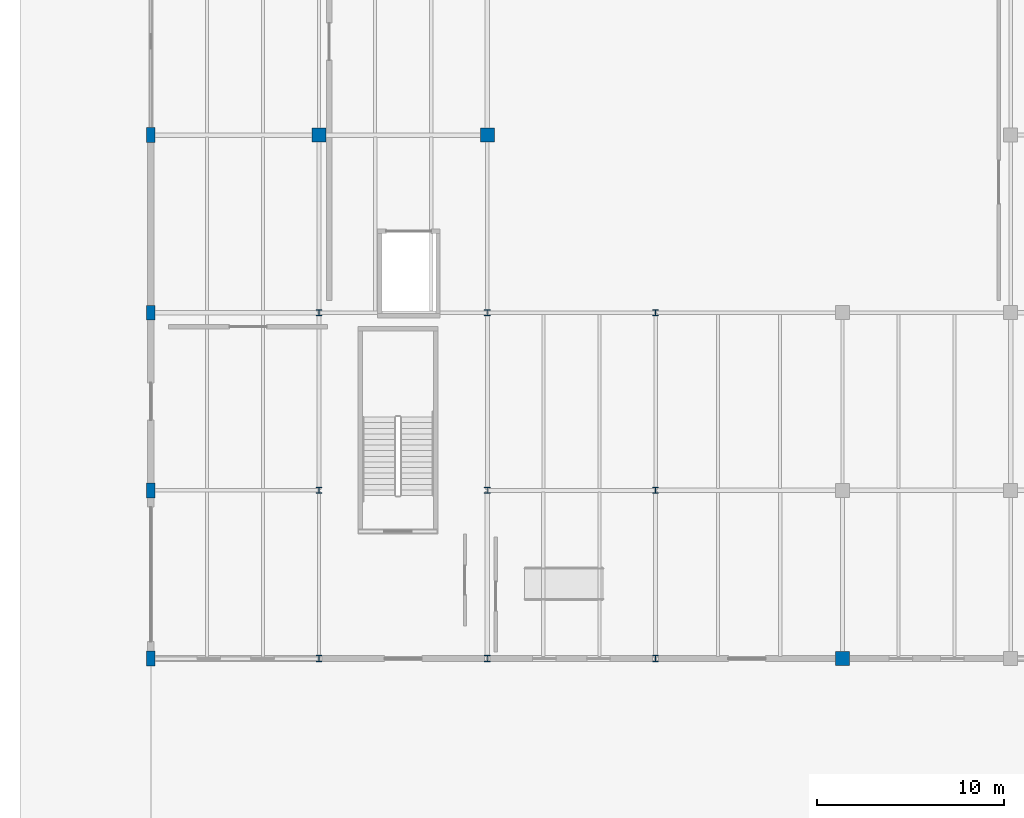
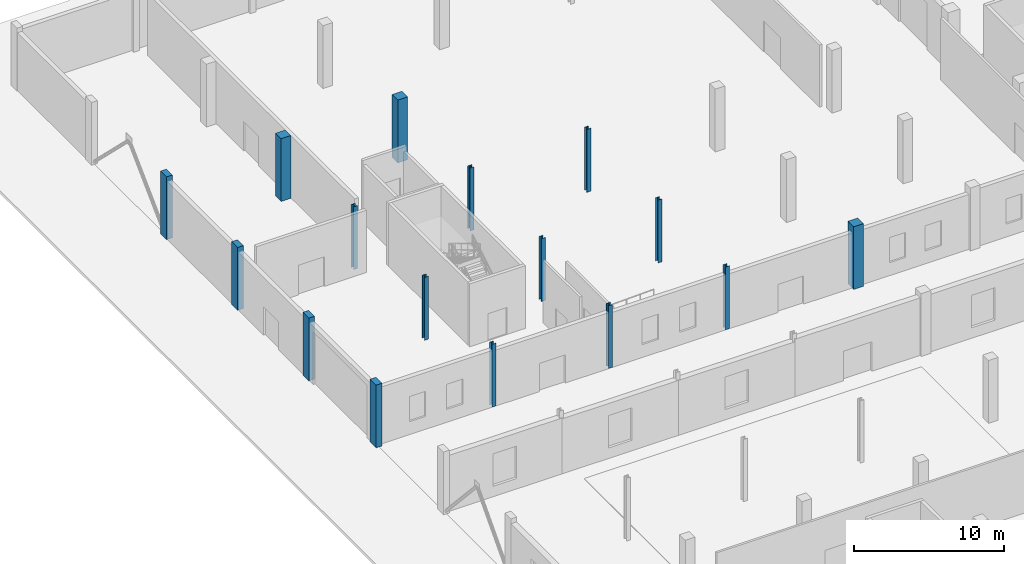
# One storey, part 18 of 103: 16 columns.
"""IFC4 building model written with IfcOpenShell, lengths in metres."""

from ifc_helpers import new_model, si_unit, direction, frame, origin, origin_2d, place, context, subcontext, project, spatial, rectangle, i_section, extrude, material, material_profile, profile_set, type_object, element, save


model = new_model("IFC4")

# Units and contexts
model_context = context("Model", 3, precision=1e-05, world=origin(), true_north=direction((0.0, 1.0)))
body_context = subcontext(model_context, "Body", "Model", "MODEL_VIEW")
ifc_project = project(units=[si_unit("LENGTHUNIT", "METRE"), si_unit("AREAUNIT", "SQUARE_METRE"), si_unit("VOLUMEUNIT", "CUBIC_METRE"), si_unit("PLANEANGLEUNIT", "RADIAN"), si_unit("MASSUNIT", "GRAM", prefix="KILO")], contexts=[model_context])

# Site, building, storey
site_placement = place(None, origin())
site = spatial("IfcSite", under=ifc_project, at=site_placement, CompositionType="ELEMENT")
building_placement = place(site_placement, origin())
building = spatial("IfcBuilding", under=site, at=building_placement, Name="Marnock Terrace Opera House", CompositionType="ELEMENT")
storey_placement = place(building_placement, origin())
storey = spatial("IfcBuildingStorey", under=building, at=storey_placement, Name="L00", CompositionType="ELEMENT", Elevation=0.0)

# Columns
ifc_material_1 = material(Name="Concrete N40 (f'c = 40 MPa)", Category="concrete")
ifc_material_profile_1 = material_profile(ifc_material_1, rectangle(XDim=0.449951171875, YDim=0.800048828125, at=origin_2d()))
ifc_profile_set_1 = profile_set([ifc_material_profile_1], Name="Concrete N40 (f'c = 40 MPa)")
column_type_1 = type_object("IfcColumnType", Name="COL-PIL-800", PredefinedType="PILASTER", material=ifc_profile_set_1)
for number, where, z_axis, x_axis, name in (
    (1, (0.0, 66.0, 0.0), (0.0, 0.0, 1.0), (1.0, 0.0, 0.0), "L00 column at (0.0, 66.0)"),
    (2, (0.0, 75.0, 0.0), (0.0, 0.0, 1.0), (1.0, 0.0, 0.0), "L00 column at (0.0, 75.0)"),
    (3, (0.0, 84.5, 0.0), (0.0, 0.0, 1.0), (1.0, 0.0, 0.0), "L00 column at (0.0, 84.5)"),
    (4, (0.0, 94.0, 0.0), (0.0, 0.0, 1.0), (1.0, 0.0, 0.0), "L00 column at (0.0, 94.0)"),
):
    element("IfcColumn", number, at=place(storey_placement, frame(where, z_axis=z_axis, x_axis=x_axis)), inside=storey, type_object=column_type_1, Name=name, PredefinedType="PILASTER", context=body_context, shape_type="SweptSolid", body=[
        extrude(rectangle(XDim=0.449951171875, YDim=0.800048828125, at=origin_2d()), origin(), (0.0, 0.0, 1.0), 5.1201171875),
    ])
ifc_material_2 = material(Name="Concrete N50 (f'c = 50 MPa)", Category="concrete")
ifc_material_profile_2 = material_profile(ifc_material_2, rectangle(XDim=0.75, YDim=0.75, at=origin_2d()))
ifc_profile_set_2 = profile_set([ifc_material_profile_2], Name="Concrete N50 (f'c = 50 MPa)")
column_type_2 = type_object("IfcColumnType", Name="COL-RC750", PredefinedType="COLUMN", material=ifc_profile_set_2)
for number, where, z_axis, x_axis, name in (
    (5, (9.0, 94.0, 0.0), (0.0, 0.0, 1.0), (1.0, 0.0, 0.0), "L00 column at (9.0, 94.0)"),
    (6, (18.0, 94.0, 0.0), (0.0, 0.0, 1.0), (1.0, 0.0, 0.0), "L00 column at (18.0, 94.0)"),
    (7, (37.0, 66.0, 0.0), (0.0, 0.0, 1.0), (1.0, 0.0, 0.0), "L00 column at (37.0, 66.0)"),
):
    element("IfcColumn", number, at=place(storey_placement, frame(where, z_axis=z_axis, x_axis=x_axis)), inside=storey, type_object=column_type_2, Name=name, PredefinedType="COLUMN", context=body_context, shape_type="SweptSolid", body=[
        extrude(rectangle(XDim=0.75, YDim=0.75, at=origin_2d()), origin(), (0.0, 0.0, 1.0), 5.1201171875),
    ])
ifc_material_3 = material(Name="Steel Grade 350 (AS/NZS 3679.1)", Category="steel")
ifc_material_profile_3 = material_profile(ifc_material_3, i_section(OverallWidth=0.31103515625, OverallDepth=0.3271484375, WebThickness=0.015625, FlangeThickness=0.02490234375, FilletRadius=0.0166015625, at=origin_2d()))
ifc_profile_set_3 = profile_set([ifc_material_profile_3], Name="Steel Grade 350 (AS/NZS 3679.1)")
column_type_3 = type_object("IfcColumnType", Name="COL-UC310A", PredefinedType="COLUMN", material=ifc_profile_set_3)
for number, where, z_axis, x_axis, name in (
    (8, (9.0, 66.0, 0.0), (0.0, 0.0, 1.0), (1.0, 0.0, 0.0), "L00 column at (9.0, 66.0)"),
    (9, (9.0, 75.0, 0.0), (0.0, 0.0, 1.0), (1.0, 0.0, 0.0), "L00 column at (9.0, 75.0)"),
    (10, (9.0, 84.5, 0.0), (0.0, 0.0, 1.0), (1.0, 0.0, 0.0), "L00 column at (9.0, 84.5)"),
    (11, (18.0, 66.0, 0.0), (0.0, 0.0, 1.0), (1.0, 0.0, 0.0), "L00 column at (18.0, 66.0)"),
    (12, (18.0, 75.0, 0.0), (0.0, 0.0, 1.0), (1.0, 0.0, 0.0), "L00 column at (18.0, 75.0)"),
    (13, (18.0, 84.5, 0.0), (0.0, 0.0, 1.0), (1.0, 0.0, 0.0), "L00 column at (18.0, 84.5)"),
    (14, (27.0, 66.0, 0.0), (0.0, 0.0, 1.0), (1.0, 0.0, 0.0), "L00 column at (27.0, 66.0)"),
    (15, (27.0, 75.0, 0.0), (0.0, 0.0, 1.0), (1.0, 0.0, 0.0), "L00 column at (27.0, 75.0)"),
    (16, (27.0, 84.5, 0.0), (0.0, 0.0, 1.0), (1.0, 0.0, 0.0), "L00 column at (27.0, 84.5)"),
):
    element("IfcColumn", number, at=place(storey_placement, frame(where, z_axis=z_axis, x_axis=x_axis)), inside=storey, type_object=column_type_3, Name=name, PredefinedType="COLUMN", context=body_context, shape_type="SweptSolid", body=[
        extrude(i_section(OverallWidth=0.31103515625, OverallDepth=0.3271484375, WebThickness=0.015625, FlangeThickness=0.02490234375, FilletRadius=0.0166015625, at=origin_2d()), origin(), (0.0, 0.0, 1.0), 5.1201171875),
    ])

save(model, "model.ifc")
